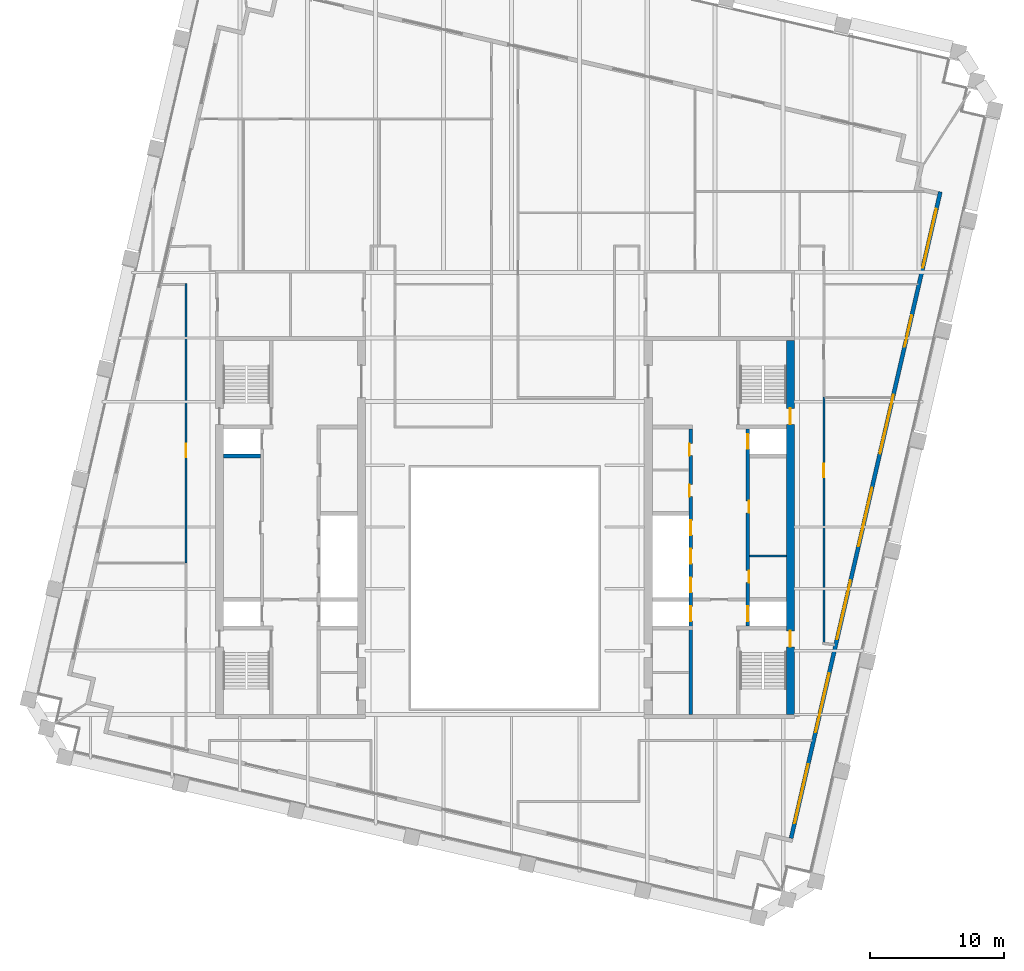
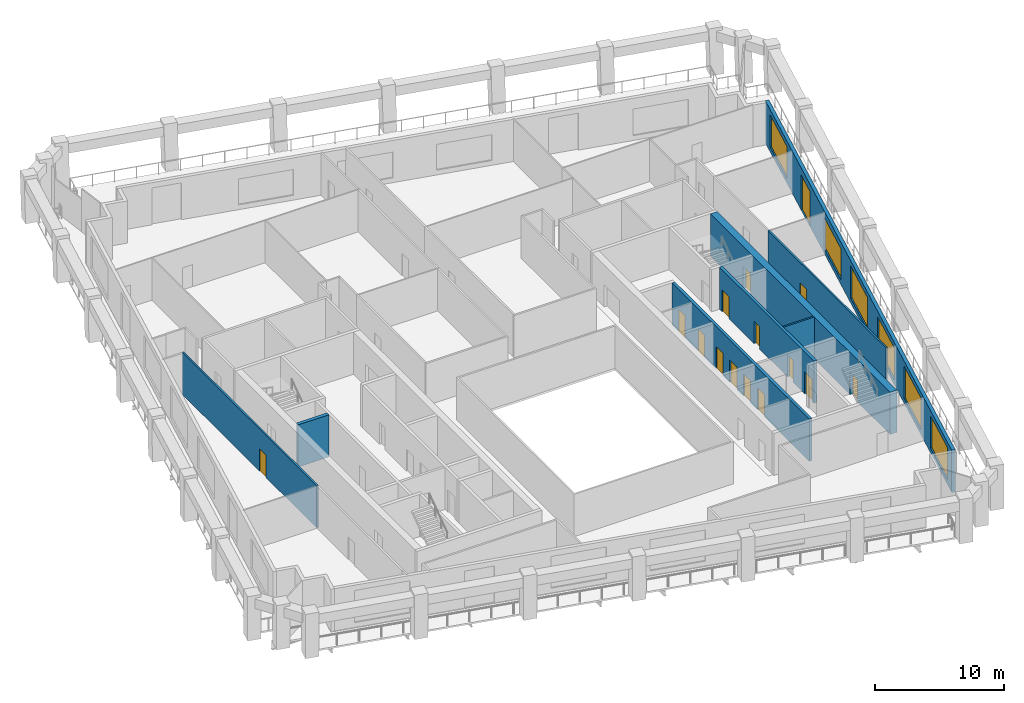
# One storey, part 5 of 9: 15 doors, 8 walls, 6 windows, 21 openings.
"""IFC4 building model written with IfcOpenShell, lengths in metres."""

from ifc_helpers import new_model, si_unit, direction, frame, frame_2d, origin, place, context, subcontext, project, spatial, rectangle, extrude, material, layer, layer_set, type_object, element, fill, save


model = new_model("IFC4")

# Units and contexts
model_context = context("Model", 3, precision=1e-05, world=origin(), true_north=direction((0.0, 1.0)))
body_context = subcontext(model_context, "Body", "Model", "MODEL_VIEW")
ifc_project = project(units=[si_unit("LENGTHUNIT", "METRE"), si_unit("AREAUNIT", "SQUARE_METRE"), si_unit("VOLUMEUNIT", "CUBIC_METRE"), si_unit("PLANEANGLEUNIT", "RADIAN"), si_unit("MASSUNIT", "GRAM", prefix="KILO")], contexts=[model_context])

# Site, building, storey
site_placement = place(None, origin())
site = spatial("IfcSite", under=ifc_project, at=site_placement, CompositionType="ELEMENT")
building_placement = place(site_placement, origin())
building = spatial("IfcBuilding", under=site, at=building_placement, Name="Ogive Exchange Tower", CompositionType="ELEMENT")
storey_placement = place(building_placement, frame((0.0, 0.0, 285.0)))
storey = spatial("IfcBuildingStorey", under=building, at=storey_placement, Name="L62", CompositionType="ELEMENT", Elevation=285.0)

# Wall
ifc_material_1 = material(Name="Gypsum board partition")
ifc_layer_1 = layer(ifc_material_1, 0.14990234375)
ifc_layer_set_1 = layer_set([ifc_layer_1], Name="Core room partition 150 gypsum")
wall_type_1 = type_object("IfcWallType", Name="Core room partition 150 gypsum", PredefinedType="PARTITIONING", material=ifc_layer_set_1)
wall_1_placement = place(storey_placement, frame((18.25, 9.39990234375, 0.0), z_axis=(0.0, 0.0, 1.0), x_axis=(1.0, 0.0, 0.0)))
element("IfcWall", 1, at=wall_1_placement, inside=storey, type_object=wall_type_1, Name="E row A bay partition 1-1", PredefinedType="PARTITIONING", context=body_context, shape_type="SweptSolid", body=[
    extrude(rectangle(XDim=2.75, YDim=0.14990234375, at=frame_2d((1.375, 0.0))), origin(), (0.0, 0.0, 1.0), 4.0),
])

# Wall, opening, door
ifc_material_2 = material(Name="Fire partition EI 60 150")
ifc_layer_2 = layer(ifc_material_2, 0.14990234375)
ifc_layer_set_2 = layer_set([ifc_layer_2], Name="Fire partition EI 60 150")
wall_type_2 = type_object("IfcWallType", Name="Fire partition EI 60 150", PredefinedType="PARTITIONING", material=ifc_layer_set_2)
wall_2_placement = place(storey_placement, frame((-23.800048828125, 8.860107421875, 0.0), z_axis=(0.0, 0.0, 1.0), x_axis=(0.0, 1.0, 0.0)))
wall_2 = element("IfcWall", 2, at=wall_2_placement, inside=storey, type_object=wall_type_2, Name="L62-PWL-004", PredefinedType="PARTITIONING", context=body_context, shape_type="SweptSolid", body=[
    extrude(rectangle(XDim=20.875, YDim=0.14990234375, at=frame_2d((10.4375, 0.0))), origin(), (0.0, 0.0, 1.0), 4.0),
])
opening_1_placement = place(wall_2_placement, frame((7.89990234375, 0.0, 0.0)))
opening_1 = element("IfcOpeningElement", 3, at=opening_1_placement, cuts=wall_2, Name="Opening L62-I14", PredefinedType="OPENING", context=body_context, shape_type="SweptSolid", body=[
    extrude(rectangle(XDim=1.0, YDim=2.10009765625, at=frame_2d((0.5, 1.050048828125))), frame((0.0, 0.0849609375, 0.0), z_axis=(0.0, -1.0, 0.0), x_axis=(1.0, 0.0, 0.0)), (0.0, 0.0, 1.0), 0.169921875),
])
ifc_material_3 = material(Name="Fire door FD 30S 1000 x 2100")
door_type_1 = type_object("IfcDoorType", Name="Fire door FD 30S 1000 x 2100", OperationType="NOTDEFINED", PredefinedType="DOOR", material=ifc_material_3)
door_1_placement = place(opening_1_placement, origin())
door_1 = element("IfcDoor", 4, at=door_1_placement, inside=storey, type_object=door_type_1, Name="L62-IDR-014", ObjectType="DT3", OperationType="SINGLE_SWING_RIGHT", OverallHeight=2.10009765625, OverallWidth=1.0, PredefinedType="DOOR", context=body_context, shape_type="SweptSolid", body=[
    extrude(rectangle(XDim=1.0, YDim=2.10009765625, at=frame_2d((0.5, 1.050048828125))), frame((0.0, 0.02490234375, 0.0), z_axis=(0.0, -1.0, 0.0), x_axis=(1.0, 0.0, 0.0)), (0.0, 0.0, 1.0), 0.050048828125),
])
fill(opening_1, door_1)

wall_3_placement = place(storey_placement, frame((23.800048828125, 21.260009765625, 0.0), z_axis=(0.0, 0.0, 1.0), x_axis=(0.0, -1.0, 0.0)))
wall_3 = element("IfcWall", 5, at=wall_3_placement, inside=storey, type_object=wall_type_2, Name="L62-PWL-047", PredefinedType="PARTITIONING", context=body_context, shape_type="SweptSolid", body=[
    extrude(rectangle(XDim=18.324951171875, YDim=0.14990234375, at=frame_2d((9.16259765625, 0.0))), origin(), (0.0, 0.0, 1.0), 4.0),
])
opening_2_placement = place(wall_3_placement, frame((5.0, 0.0, 0.0)))
opening_2 = element("IfcOpeningElement", 6, at=opening_2_placement, cuts=wall_3, Name="Opening L62-I02", PredefinedType="OPENING", context=body_context, shape_type="SweptSolid", body=[
    extrude(rectangle(XDim=1.0, YDim=2.10009765625, at=frame_2d((0.5, 1.050048828125))), frame((0.0, 0.0849609375, 0.0), z_axis=(0.0, -1.0, 0.0), x_axis=(1.0, 0.0, 0.0)), (0.0, 0.0, 1.0), 0.169921875),
])
door_2_placement = place(opening_2_placement, origin())
door_2 = element("IfcDoor", 7, at=door_2_placement, inside=storey, type_object=door_type_1, Name="L62-IDR-002", ObjectType="DT3", OperationType="SINGLE_SWING_RIGHT", OverallHeight=2.10009765625, OverallWidth=1.0, PredefinedType="DOOR", context=body_context, shape_type="SweptSolid", body=[
    extrude(rectangle(XDim=1.0, YDim=2.10009765625, at=frame_2d((0.5, 1.050048828125))), frame((0.0, 0.02490234375, 0.0), z_axis=(0.0, -1.0, 0.0), x_axis=(1.0, 0.0, 0.0)), (0.0, 0.0, 1.0), 0.050048828125),
])
fill(opening_2, door_2)

# Wall, openings, door, windows
ifc_material_4 = material(Name="Precast concrete C40/50", Category="concrete")
ifc_layer_3 = layer(ifc_material_4, 0.300048828125)
ifc_layer_set_3 = layer_set([ifc_layer_3], Name="Limestone-faced wall 300")
wall_type_3 = type_object("IfcWallType", Name="Limestone-faced wall 300", PredefinedType="STANDARD", material=ifc_layer_set_3)
wall_4_placement = place(storey_placement, frame((21.35888671875, -11.67822265625, 0.0), z_axis=(0.0, 0.0, 1.0), x_axis=(0.224949198343, 0.974370493275, 0.0)))
wall_4 = element("IfcWall", 8, at=wall_4_placement, inside=storey, type_object=wall_type_3, Name="External wall E2", PredefinedType="STANDARD", context=body_context, shape_type="SweptSolid", body=[
    extrude(rectangle(XDim=49.5, YDim=0.300048828125, at=frame_2d((24.75, 0.0))), origin(), (0.0, 0.0, 1.0), 4.0),
])
opening_3_placement = place(wall_4_placement, frame((1.156982421875, 0.0, 0.449951171875)))
opening_3 = element("IfcOpeningElement", 9, at=opening_3_placement, cuts=wall_4, Name="Opening W1", PredefinedType="OPENING", context=body_context, shape_type="SweptSolid", body=[
    extrude(rectangle(XDim=4.5, YDim=3.050048828125, at=frame_2d((2.25, 1.52490234375))), frame((0.0, 0.159912109375, 0.0), z_axis=(0.0, -1.0, 0.0), x_axis=(1.0, 0.0, 0.0)), (0.0, 0.0, 1.0), 0.320068359375),
])
opening_4_placement = place(wall_4_placement, frame((8.121337890625, 0.0, 0.449951171875)))
opening_4 = element("IfcOpeningElement", 10, at=opening_4_placement, cuts=wall_4, Name="Opening W1", PredefinedType="OPENING", context=body_context, shape_type="SweptSolid", body=[
    extrude(rectangle(XDim=4.5, YDim=3.050048828125, at=frame_2d((2.25, 1.52490234375))), frame((0.0, 0.159912109375, 0.0), z_axis=(0.0, -1.0, 0.0), x_axis=(1.0, 0.0, 0.0)), (0.0, 0.0, 1.0), 0.320068359375),
])
opening_5_placement = place(wall_4_placement, frame((15.235595703125, 0.0, 0.449951171875)))
opening_5 = element("IfcOpeningElement", 11, at=opening_5_placement, cuts=wall_4, Name="Opening W1", PredefinedType="OPENING", context=body_context, shape_type="SweptSolid", body=[
    extrude(rectangle(XDim=4.5, YDim=3.050048828125, at=frame_2d((2.25, 1.52490234375))), frame((0.0, 0.159912109375, 0.0), z_axis=(0.0, -1.0, 0.0), x_axis=(1.0, 0.0, 0.0)), (0.0, 0.0, 1.0), 0.320068359375),
])
opening_6_placement = place(wall_4_placement, frame((22.35009765625, 0.0, 0.449951171875)))
opening_6 = element("IfcOpeningElement", 12, at=opening_6_placement, cuts=wall_4, Name="Opening W1", PredefinedType="OPENING", context=body_context, shape_type="SweptSolid", body=[
    extrude(rectangle(XDim=4.5, YDim=3.050048828125, at=frame_2d((2.25, 1.52490234375))), frame((0.0, 0.159912109375, 0.0), z_axis=(0.0, -1.0, 0.0), x_axis=(1.0, 0.0, 0.0)), (0.0, 0.0, 1.0), 0.320068359375),
])
opening_7_placement = place(wall_4_placement, frame((29.464111328125, 0.0, 0.449951171875)))
opening_7 = element("IfcOpeningElement", 13, at=opening_7_placement, cuts=wall_4, Name="Opening W1B", PredefinedType="OPENING", context=body_context, shape_type="SweptSolid", body=[
    extrude(rectangle(XDim=4.5, YDim=2.949951171875, at=frame_2d((2.25, 1.47509765625))), frame((0.0, 0.159912109375, 0.0), z_axis=(0.0, -1.0, 0.0), x_axis=(1.0, 0.0, 0.0)), (0.0, 0.0, 1.0), 0.320068359375),
])
opening_8_placement = place(wall_4_placement, frame((37.62841796875, 0.0, 0.0)))
opening_8 = element("IfcOpeningElement", 14, at=opening_8_placement, cuts=wall_4, Name="Opening D1C", PredefinedType="OPENING", context=body_context, shape_type="SweptSolid", body=[
    extrude(rectangle(XDim=2.39990234375, YDim=3.324951171875, at=frame_2d((1.199951171875, 1.66259765625))), frame((0.0, 0.159912109375, 0.0), z_axis=(0.0, -1.0, 0.0), x_axis=(1.0, 0.0, 0.0)), (0.0, 0.0, 1.0), 0.320068359375),
])
opening_9_placement = place(wall_4_placement, frame((43.69287109375, 0.0, 0.449951171875)))
opening_9 = element("IfcOpeningElement", 15, at=opening_9_placement, cuts=wall_4, Name="Opening W1", PredefinedType="OPENING", context=body_context, shape_type="SweptSolid", body=[
    extrude(rectangle(XDim=4.5, YDim=3.050048828125, at=frame_2d((2.25, 1.52490234375))), frame((0.0, 0.159912109375, 0.0), z_axis=(0.0, -1.0, 0.0), x_axis=(1.0, 0.0, 0.0)), (0.0, 0.0, 1.0), 0.320068359375),
])
ifc_material_5 = material(Name="Clear glass in bronze frame", Category="glass")
door_type_2 = type_object("IfcDoorType", Name="Sliding loggia door 2400 x 3325", OperationType="DOUBLE_DOOR_SLIDING", PredefinedType="DOOR", material=ifc_material_5)
door_3_placement = place(opening_8_placement, origin())
door_3 = element("IfcDoor", 16, at=door_3_placement, inside=storey, type_object=door_type_2, Name="Loggia door E05", OperationType="DOUBLE_DOOR_SLIDING", OverallHeight=3.324951171875, OverallWidth=2.39990234375, PredefinedType="DOOR", context=body_context, shape_type="SweptSolid", body=[
    extrude(rectangle(XDim=2.39990234375, YDim=3.324951171875, at=frame_2d((1.199951171875, 1.66259765625))), frame((0.0, 0.02490234375, 0.0), z_axis=(0.0, -1.0, 0.0), x_axis=(1.0, 0.0, 0.0)), (0.0, 0.0, 1.0), 0.050048828125),
])
fill(opening_8, door_3)
window_type_1 = type_object("IfcWindowType", Name="Twin lancet window 4500 x 2950", PartitioningType="DOUBLE_PANEL_VERTICAL", PredefinedType="WINDOW", material=ifc_material_5)
window_1_placement = place(opening_7_placement, origin())
window_1 = element("IfcWindow", 17, at=window_1_placement, inside=storey, type_object=window_type_1, Name="Window E04", OverallHeight=2.949951171875, OverallWidth=4.5, PartitioningType="DOUBLE_PANEL_VERTICAL", PredefinedType="WINDOW", context=body_context, shape_type="SweptSolid", body=[
    extrude(rectangle(XDim=4.5, YDim=2.949951171875, at=frame_2d((2.25, 1.47509765625))), frame((0.0, 0.030029296875, 0.0), z_axis=(0.0, -1.0, 0.0), x_axis=(1.0, 0.0, 0.0)), (0.0, 0.0, 1.0), 0.06005859375),
])
fill(opening_7, window_1)
window_type_2 = type_object("IfcWindowType", Name="Twin lancet window 4500 x 3050", PartitioningType="DOUBLE_PANEL_VERTICAL", PredefinedType="WINDOW", material=ifc_material_5)
window_2_placement = place(opening_3_placement, origin())
window_2 = element("IfcWindow", 18, at=window_2_placement, inside=storey, type_object=window_type_2, Name="Window E00", OverallHeight=3.050048828125, OverallWidth=4.5, PartitioningType="DOUBLE_PANEL_VERTICAL", PredefinedType="WINDOW", context=body_context, shape_type="SweptSolid", body=[
    extrude(rectangle(XDim=4.5, YDim=3.050048828125, at=frame_2d((2.25, 1.52490234375))), frame((0.0, 0.030029296875, 0.0), z_axis=(0.0, -1.0, 0.0), x_axis=(1.0, 0.0, 0.0)), (0.0, 0.0, 1.0), 0.06005859375),
])
fill(opening_3, window_2)
window_3_placement = place(opening_4_placement, origin())
window_3 = element("IfcWindow", 19, at=window_3_placement, inside=storey, type_object=window_type_2, Name="Window E01", OverallHeight=3.050048828125, OverallWidth=4.5, PartitioningType="DOUBLE_PANEL_VERTICAL", PredefinedType="WINDOW", context=body_context, shape_type="SweptSolid", body=[
    extrude(rectangle(XDim=4.5, YDim=3.050048828125, at=frame_2d((2.25, 1.52490234375))), frame((0.0, 0.030029296875, 0.0), z_axis=(0.0, -1.0, 0.0), x_axis=(1.0, 0.0, 0.0)), (0.0, 0.0, 1.0), 0.06005859375),
])
fill(opening_4, window_3)
window_4_placement = place(opening_5_placement, origin())
window_4 = element("IfcWindow", 20, at=window_4_placement, inside=storey, type_object=window_type_2, Name="Window E02", OverallHeight=3.050048828125, OverallWidth=4.5, PartitioningType="DOUBLE_PANEL_VERTICAL", PredefinedType="WINDOW", context=body_context, shape_type="SweptSolid", body=[
    extrude(rectangle(XDim=4.5, YDim=3.050048828125, at=frame_2d((2.25, 1.52490234375))), frame((0.0, 0.030029296875, 0.0), z_axis=(0.0, -1.0, 0.0), x_axis=(1.0, 0.0, 0.0)), (0.0, 0.0, 1.0), 0.06005859375),
])
fill(opening_5, window_4)
window_5_placement = place(opening_6_placement, origin())
window_5 = element("IfcWindow", 21, at=window_5_placement, inside=storey, type_object=window_type_2, Name="Window E03", OverallHeight=3.050048828125, OverallWidth=4.5, PartitioningType="DOUBLE_PANEL_VERTICAL", PredefinedType="WINDOW", context=body_context, shape_type="SweptSolid", body=[
    extrude(rectangle(XDim=4.5, YDim=3.050048828125, at=frame_2d((2.25, 1.52490234375))), frame((0.0, 0.030029296875, 0.0), z_axis=(0.0, -1.0, 0.0), x_axis=(1.0, 0.0, 0.0)), (0.0, 0.0, 1.0), 0.06005859375),
])
fill(opening_6, window_5)
window_6_placement = place(opening_9_placement, origin())
window_6 = element("IfcWindow", 22, at=window_6_placement, inside=storey, type_object=window_type_2, Name="Window E06", OverallHeight=3.050048828125, OverallWidth=4.5, PartitioningType="DOUBLE_PANEL_VERTICAL", PredefinedType="WINDOW", context=body_context, shape_type="SweptSolid", body=[
    extrude(rectangle(XDim=4.5, YDim=3.050048828125, at=frame_2d((2.25, 1.52490234375))), frame((0.0, 0.030029296875, 0.0), z_axis=(0.0, -1.0, 0.0), x_axis=(1.0, 0.0, 0.0)), (0.0, 0.0, 1.0), 0.06005859375),
])
fill(opening_9, window_6)

# Wall, openings, doors
ifc_material_6 = material(Name="Concrete C70/85", Category="concrete")
ifc_layer_4 = layer(ifc_material_6, 0.25)
ifc_layer_set_4 = layer_set([ifc_layer_4], Name="RC core wall 250 C70/85")
wall_type_4 = type_object("IfcWallType", Name="RC core wall 250 C70/85", PredefinedType="SHEAR", material=ifc_layer_set_4)
wall_5_placement = place(storey_placement, frame((18.125, 4.14990234375, 0.0), z_axis=(0.0, 0.0, 1.0), x_axis=(0.0, 1.0, 0.0)))
wall_5 = element("IfcWall", 23, at=wall_5_placement, inside=storey, type_object=wall_type_4, Name="E row A front wall", PredefinedType="SHEAR", context=body_context, shape_type="SweptSolid", body=[
    extrude(rectangle(XDim=14.7001953125, YDim=0.25, at=frame_2d((7.35009765625, 0.0))), origin(), (0.0, 0.0, 1.0), 4.0),
])
opening_10_placement = place(wall_5_placement, frame((3.246337890625, 0.0, 0.0)))
opening_10 = element("IfcOpeningElement", 24, at=opening_10_placement, cuts=wall_5, Name="Opening L62-C19", PredefinedType="OPENING", context=body_context, shape_type="SweptSolid", body=[
    extrude(rectangle(XDim=0.89990234375, YDim=2.10009765625, at=frame_2d((0.449951171875, 1.050048828125))), frame((0.0, 0.135009765625, 0.0), z_axis=(0.0, -1.0, 0.0), x_axis=(1.0, 0.0, 0.0)), (0.0, 0.0, 1.0), 0.27001953125),
])
opening_11_placement = place(wall_5_placement, frame((8.45361328125, 0.0, 0.0)))
opening_11 = element("IfcOpeningElement", 25, at=opening_11_placement, cuts=wall_5, Name="Opening L62-C20", PredefinedType="OPENING", context=body_context, shape_type="SweptSolid", body=[
    extrude(rectangle(XDim=0.89990234375, YDim=2.10009765625, at=frame_2d((0.449951171875, 1.050048828125))), frame((0.0, 0.135009765625, 0.0), z_axis=(0.0, -1.0, 0.0), x_axis=(1.0, 0.0, 0.0)), (0.0, 0.0, 1.0), 0.27001953125),
])
opening_12_placement = place(wall_5_placement, frame((0.371337890625, 0.0, 0.0)))
opening_12 = element("IfcOpeningElement", 26, at=opening_12_placement, cuts=wall_5, Name="Opening L62-C21", PredefinedType="OPENING", context=body_context, shape_type="SweptSolid", body=[
    extrude(rectangle(XDim=1.10009765625, YDim=2.10009765625, at=frame_2d((0.550048828125, 1.050048828125))), frame((0.0, 0.135009765625, 0.0), z_axis=(0.0, -1.0, 0.0), x_axis=(1.0, 0.0, 0.0)), (0.0, 0.0, 1.0), 0.27001953125),
])
opening_13_placement = place(wall_5_placement, frame((13.228515625, 0.0, 0.0)))
opening_13 = element("IfcOpeningElement", 27, at=opening_13_placement, cuts=wall_5, Name="Opening L62-C22", PredefinedType="OPENING", context=body_context, shape_type="SweptSolid", body=[
    extrude(rectangle(XDim=1.10009765625, YDim=2.10009765625, at=frame_2d((0.550048828125, 1.050048828125))), frame((0.0, 0.135009765625, 0.0), z_axis=(0.0, -1.0, 0.0), x_axis=(1.0, 0.0, 0.0)), (0.0, 0.0, 1.0), 0.27001953125),
])
ifc_material_7 = material(Name="Stainless steel", Category="steel")
door_type_3 = type_object("IfcDoorType", Name="Lift landing door FD90 1100 x 2100", OperationType="SLIDING_TO_LEFT", PredefinedType="DOOR", material=ifc_material_7)
door_4_placement = place(opening_12_placement, origin())
door_4 = element("IfcDoor", 28, at=door_4_placement, inside=storey, type_object=door_type_3, Name="Lift landing door FF2", ObjectType="LD", OperationType="SLIDING_TO_LEFT", OverallHeight=2.10009765625, OverallWidth=1.10009765625, PredefinedType="DOOR", context=body_context, shape_type="SweptSolid", body=[
    extrude(rectangle(XDim=1.10009765625, YDim=2.10009765625, at=frame_2d((0.550048828125, 1.050048828125))), frame((0.0, 0.02490234375, 0.0), z_axis=(0.0, -1.0, 0.0), x_axis=(1.0, 0.0, 0.0)), (0.0, 0.0, 1.0), 0.050048828125),
])
fill(opening_12, door_4)
door_5_placement = place(opening_13_placement, origin())
door_5 = element("IfcDoor", 29, at=door_5_placement, inside=storey, type_object=door_type_3, Name="Lift landing door E-SH2", ObjectType="LD", OperationType="SLIDING_TO_LEFT", OverallHeight=2.10009765625, OverallWidth=1.10009765625, PredefinedType="DOOR", context=body_context, shape_type="SweptSolid", body=[
    extrude(rectangle(XDim=1.10009765625, YDim=2.10009765625, at=frame_2d((0.550048828125, 1.050048828125))), frame((0.0, 0.02490234375, 0.0), z_axis=(0.0, -1.0, 0.0), x_axis=(1.0, 0.0, 0.0)), (0.0, 0.0, 1.0), 0.050048828125),
])
fill(opening_13, door_5)
ifc_material_8 = material(Name="Steel fire door", Category="steel")
door_type_4 = type_object("IfcDoorType", Name="Riser door FD60 900 x 2100", OperationType="NOTDEFINED", PredefinedType="DOOR", material=ifc_material_8)
door_6_placement = place(opening_10_placement, frame((0.89990234375, -0.2001953125, 0.0), z_axis=(0.0, 0.0, 1.0), x_axis=(-1.0, 0.0, 0.0)))
door_6 = element("IfcDoor", 30, at=door_6_placement, inside=storey, type_object=door_type_4, Name="Riser door", ObjectType="CD2", OperationType="SINGLE_SWING_RIGHT", OverallHeight=2.10009765625, OverallWidth=0.89990234375, PredefinedType="DOOR", context=body_context, shape_type="SweptSolid", body=[
    extrude(rectangle(XDim=0.89990234375, YDim=2.10009765625, at=frame_2d((0.449951171875, 1.050048828125))), frame((0.0, -0.0751953125, 0.0), z_axis=(0.0, -1.0, 0.0), x_axis=(1.0, 0.0, 0.0)), (0.0, 0.0, 1.0), 0.050048828125),
])
fill(opening_10, door_6)
door_7_placement = place(opening_11_placement, frame((0.89990234375, -0.2001953125, 0.0), z_axis=(0.0, 0.0, 1.0), x_axis=(-1.0, 0.0, 0.0)))
door_7 = element("IfcDoor", 31, at=door_7_placement, inside=storey, type_object=door_type_4, Name="Riser door", ObjectType="CD2", OperationType="SINGLE_SWING_LEFT", OverallHeight=2.10009765625, OverallWidth=0.89990234375, PredefinedType="DOOR", context=body_context, shape_type="SweptSolid", body=[
    extrude(rectangle(XDim=0.89990234375, YDim=2.10009765625, at=frame_2d((0.449951171875, 1.050048828125))), frame((0.0, -0.0751953125, 0.0), z_axis=(0.0, -1.0, 0.0), x_axis=(1.0, 0.0, 0.0)), (0.0, 0.0, 1.0), 0.050048828125),
])
fill(opening_11, door_7)

wall_6_placement = place(storey_placement, frame((13.875, -2.449951171875, 0.0), z_axis=(0.0, 0.0, 1.0), x_axis=(0.0, 1.0, 0.0)))
wall_6 = element("IfcWall", 32, at=wall_6_placement, inside=storey, type_object=wall_type_4, Name="E row B front wall", PredefinedType="SHEAR", context=body_context, shape_type="SweptSolid", body=[
    extrude(rectangle(XDim=21.300048828125, YDim=0.25, at=frame_2d((10.64990234375, 0.0))), origin(), (0.0, 0.0, 1.0), 4.0),
])
opening_14_placement = place(wall_6_placement, frame((16.2607421875, 0.0, 0.0)))
opening_14 = element("IfcOpeningElement", 33, at=opening_14_placement, cuts=wall_6, Name="Opening L62-C23", PredefinedType="OPENING", context=body_context, shape_type="SweptSolid", body=[
    extrude(rectangle(XDim=0.89990234375, YDim=2.10009765625, at=frame_2d((0.449951171875, 1.050048828125))), frame((0.0, 0.135009765625, 0.0), z_axis=(0.0, -1.0, 0.0), x_axis=(1.0, 0.0, 0.0)), (0.0, 0.0, 1.0), 0.27001953125),
])
opening_15_placement = place(wall_6_placement, frame((19.324951171875, 0.0, 0.0)))
opening_15 = element("IfcOpeningElement", 34, at=opening_15_placement, cuts=wall_6, Name="Opening L62-C24", PredefinedType="OPENING", context=body_context, shape_type="SweptSolid", body=[
    extrude(rectangle(XDim=0.89990234375, YDim=2.10009765625, at=frame_2d((0.449951171875, 1.050048828125))), frame((0.0, 0.135009765625, 0.0), z_axis=(0.0, -1.0, 0.0), x_axis=(1.0, 0.0, 0.0)), (0.0, 0.0, 1.0), 0.27001953125),
])
opening_16_placement = place(wall_6_placement, frame((6.971435546875, 0.0, 0.0)))
opening_16 = element("IfcOpeningElement", 35, at=opening_16_placement, cuts=wall_6, Name="Opening L62-C25", PredefinedType="OPENING", context=body_context, shape_type="SweptSolid", body=[
    extrude(rectangle(XDim=1.10009765625, YDim=2.10009765625, at=frame_2d((0.550048828125, 1.050048828125))), frame((0.0, 0.135009765625, 0.0), z_axis=(0.0, -1.0, 0.0), x_axis=(1.0, 0.0, 0.0)), (0.0, 0.0, 1.0), 0.27001953125),
])
opening_17_placement = place(wall_6_placement, frame((9.1142578125, 0.0, 0.0)))
opening_17 = element("IfcOpeningElement", 36, at=opening_17_placement, cuts=wall_6, Name="Opening L62-C26", PredefinedType="OPENING", context=body_context, shape_type="SweptSolid", body=[
    extrude(rectangle(XDim=1.10009765625, YDim=2.10009765625, at=frame_2d((0.550048828125, 1.050048828125))), frame((0.0, 0.135009765625, 0.0), z_axis=(0.0, -1.0, 0.0), x_axis=(1.0, 0.0, 0.0)), (0.0, 0.0, 1.0), 0.27001953125),
])
opening_18_placement = place(wall_6_placement, frame((11.257080078125, 0.0, 0.0)))
opening_18 = element("IfcOpeningElement", 37, at=opening_18_placement, cuts=wall_6, Name="Opening L62-C27", PredefinedType="OPENING", context=body_context, shape_type="SweptSolid", body=[
    extrude(rectangle(XDim=1.10009765625, YDim=2.10009765625, at=frame_2d((0.550048828125, 1.050048828125))), frame((0.0, 0.135009765625, 0.0), z_axis=(0.0, -1.0, 0.0), x_axis=(1.0, 0.0, 0.0)), (0.0, 0.0, 1.0), 0.27001953125),
])
opening_19_placement = place(wall_6_placement, frame((13.39990234375, 0.0, 0.0)))
opening_19 = element("IfcOpeningElement", 38, at=opening_19_placement, cuts=wall_6, Name="Opening L62-C28", PredefinedType="OPENING", context=body_context, shape_type="SweptSolid", body=[
    extrude(rectangle(XDim=1.10009765625, YDim=2.10009765625, at=frame_2d((0.550048828125, 1.050048828125))), frame((0.0, 0.135009765625, 0.0), z_axis=(0.0, -1.0, 0.0), x_axis=(1.0, 0.0, 0.0)), (0.0, 0.0, 1.0), 0.27001953125),
])
door_8_placement = place(opening_16_placement, origin())
door_8 = element("IfcDoor", 39, at=door_8_placement, inside=storey, type_object=door_type_3, Name="Lift landing door SV2", ObjectType="LD", OperationType="SLIDING_TO_LEFT", OverallHeight=2.10009765625, OverallWidth=1.10009765625, PredefinedType="DOOR", context=body_context, shape_type="SweptSolid", body=[
    extrude(rectangle(XDim=1.10009765625, YDim=2.10009765625, at=frame_2d((0.550048828125, 1.050048828125))), frame((0.0, 0.02490234375, 0.0), z_axis=(0.0, -1.0, 0.0), x_axis=(1.0, 0.0, 0.0)), (0.0, 0.0, 1.0), 0.050048828125),
])
fill(opening_16, door_8)
door_9_placement = place(opening_17_placement, origin())
door_9 = element("IfcDoor", 40, at=door_9_placement, inside=storey, type_object=door_type_3, Name="Lift landing door E-M1", ObjectType="LD", OperationType="SLIDING_TO_LEFT", OverallHeight=2.10009765625, OverallWidth=1.10009765625, PredefinedType="DOOR", context=body_context, shape_type="SweptSolid", body=[
    extrude(rectangle(XDim=1.10009765625, YDim=2.10009765625, at=frame_2d((0.550048828125, 1.050048828125))), frame((0.0, 0.02490234375, 0.0), z_axis=(0.0, -1.0, 0.0), x_axis=(1.0, 0.0, 0.0)), (0.0, 0.0, 1.0), 0.050048828125),
])
fill(opening_17, door_9)
door_10_placement = place(opening_18_placement, origin())
door_10 = element("IfcDoor", 41, at=door_10_placement, inside=storey, type_object=door_type_3, Name="Lift landing door E-M2", ObjectType="LD", OperationType="SLIDING_TO_LEFT", OverallHeight=2.10009765625, OverallWidth=1.10009765625, PredefinedType="DOOR", context=body_context, shape_type="SweptSolid", body=[
    extrude(rectangle(XDim=1.10009765625, YDim=2.10009765625, at=frame_2d((0.550048828125, 1.050048828125))), frame((0.0, 0.02490234375, 0.0), z_axis=(0.0, -1.0, 0.0), x_axis=(1.0, 0.0, 0.0)), (0.0, 0.0, 1.0), 0.050048828125),
])
fill(opening_18, door_10)
door_11_placement = place(opening_19_placement, origin())
door_11 = element("IfcDoor", 42, at=door_11_placement, inside=storey, type_object=door_type_3, Name="Lift landing door E-M3", ObjectType="LD", OperationType="SLIDING_TO_LEFT", OverallHeight=2.10009765625, OverallWidth=1.10009765625, PredefinedType="DOOR", context=body_context, shape_type="SweptSolid", body=[
    extrude(rectangle(XDim=1.10009765625, YDim=2.10009765625, at=frame_2d((0.550048828125, 1.050048828125))), frame((0.0, 0.02490234375, 0.0), z_axis=(0.0, -1.0, 0.0), x_axis=(1.0, 0.0, 0.0)), (0.0, 0.0, 1.0), 0.050048828125),
])
fill(opening_19, door_11)
door_12_placement = place(opening_14_placement, origin())
door_12 = element("IfcDoor", 43, at=door_12_placement, inside=storey, type_object=door_type_4, Name="Riser door", ObjectType="CD2", OperationType="SINGLE_SWING_RIGHT", OverallHeight=2.10009765625, OverallWidth=0.89990234375, PredefinedType="DOOR", context=body_context, shape_type="SweptSolid", body=[
    extrude(rectangle(XDim=0.89990234375, YDim=2.10009765625, at=frame_2d((0.449951171875, 1.050048828125))), frame((0.0, 0.125, 0.0), z_axis=(0.0, -1.0, 0.0), x_axis=(1.0, 0.0, 0.0)), (0.0, 0.0, 1.0), 0.050048828125),
])
fill(opening_14, door_12)
door_13_placement = place(opening_15_placement, origin())
door_13 = element("IfcDoor", 44, at=door_13_placement, inside=storey, type_object=door_type_4, Name="Riser door", ObjectType="CD2", OperationType="SINGLE_SWING_LEFT", OverallHeight=2.10009765625, OverallWidth=0.89990234375, PredefinedType="DOOR", context=body_context, shape_type="SweptSolid", body=[
    extrude(rectangle(XDim=0.89990234375, YDim=2.10009765625, at=frame_2d((0.449951171875, 1.050048828125))), frame((0.0, 0.125, 0.0), z_axis=(0.0, -1.0, 0.0), x_axis=(1.0, 0.0, 0.0)), (0.0, 0.0, 1.0), 0.050048828125),
])
fill(opening_15, door_13)

# Wall
ifc_layer_5 = layer(ifc_material_6, 0.300048828125)
ifc_layer_set_5 = layer_set([ifc_layer_5], Name="RC core wall 300 C70/85")
wall_type_5 = type_object("IfcWallType", Name="RC core wall 300 C70/85", PredefinedType="SHEAR", material=ifc_layer_set_5)
wall_7_placement = place(storey_placement, frame((-21.0, 16.857177734375, 0.0), z_axis=(0.0, 0.0, 1.0), x_axis=(1.0, 0.0, 0.0)))
element("IfcWall", 45, at=wall_7_placement, inside=storey, type_object=wall_type_5, Name="W row A divider 6", PredefinedType="SHEAR", context=body_context, shape_type="SweptSolid", body=[
    extrude(rectangle(XDim=2.75, YDim=0.300048828125, at=frame_2d((1.375, 0.0))), origin(), (0.0, 0.0, 1.0), 4.0),
])

# Wall, openings, doors
ifc_layer_6 = layer(ifc_material_6, 0.60009765625)
ifc_layer_set_6 = layer_set([ifc_layer_6], Name="RC core wall 600 C70/85")
wall_type_6 = type_object("IfcWallType", Name="RC core wall 600 C70/85", PredefinedType="SHEAR", material=ifc_layer_set_6)
wall_8_placement = place(storey_placement, frame((21.300048828125, -2.449951171875, 0.0), z_axis=(0.0, 0.0, 1.0), x_axis=(0.0, 1.0, 0.0)))
wall_8 = element("IfcWall", 46, at=wall_8_placement, inside=storey, type_object=wall_type_6, Name="E outer wall", PredefinedType="SHEAR", context=body_context, shape_type="SweptSolid", body=[
    extrude(rectangle(XDim=27.89990234375, YDim=0.60009765625, at=frame_2d((13.949951171875, 0.0))), origin(), (0.0, 0.0, 1.0), 4.0),
])
opening_20_placement = place(wall_8_placement, frame((5.050048828125, 0.0, 0.0)))
opening_20 = element("IfcOpeningElement", 47, at=opening_20_placement, cuts=wall_8, Name="Opening L62-C32", PredefinedType="OPENING", context=body_context, shape_type="SweptSolid", body=[
    extrude(rectangle(XDim=1.199951171875, YDim=2.10009765625, at=frame_2d((0.60009765625, 1.050048828125))), frame((0.0, 0.31005859375, 0.0), z_axis=(0.0, -1.0, 0.0), x_axis=(1.0, 0.0, 0.0)), (0.0, 0.0, 1.0), 0.6201171875),
])
opening_21_placement = place(wall_8_placement, frame((21.64990234375, 0.0, 0.0)))
opening_21 = element("IfcOpeningElement", 48, at=opening_21_placement, cuts=wall_8, Name="Opening L62-C34", PredefinedType="OPENING", context=body_context, shape_type="SweptSolid", body=[
    extrude(rectangle(XDim=1.199951171875, YDim=2.10009765625, at=frame_2d((0.60009765625, 1.050048828125))), frame((0.0, 0.31005859375, 0.0), z_axis=(0.0, -1.0, 0.0), x_axis=(1.0, 0.0, 0.0)), (0.0, 0.0, 1.0), 0.6201171875),
])
door_type_5 = type_object("IfcDoorType", Name="Stair door FD90 1200 x 2100", OperationType="NOTDEFINED", PredefinedType="DOOR", material=ifc_material_8)
door_14_placement = place(opening_20_placement, frame((1.199951171875, 0.0, 0.0), z_axis=(0.0, 0.0, 1.0), x_axis=(-1.0, 0.0, 0.0)))
door_14 = element("IfcDoor", 49, at=door_14_placement, inside=storey, type_object=door_type_5, Name="Stair door", ObjectType="CD5", OperationType="SINGLE_SWING_RIGHT", OverallHeight=2.10009765625, OverallWidth=1.199951171875, PredefinedType="DOOR", context=body_context, shape_type="SweptSolid", body=[
    extrude(rectangle(XDim=1.199951171875, YDim=2.10009765625, at=frame_2d((0.60009765625, 1.050048828125))), frame((0.0, 0.02490234375, 0.0), z_axis=(0.0, -1.0, 0.0), x_axis=(1.0, 0.0, 0.0)), (0.0, 0.0, 1.0), 0.050048828125),
])
fill(opening_20, door_14)
door_15_placement = place(opening_21_placement, frame((1.199951171875, 0.0, 0.0), z_axis=(0.0, 0.0, 1.0), x_axis=(-1.0, 0.0, 0.0)))
door_15 = element("IfcDoor", 50, at=door_15_placement, inside=storey, type_object=door_type_5, Name="Stair door", ObjectType="CD5", OperationType="SINGLE_SWING_LEFT", OverallHeight=2.10009765625, OverallWidth=1.199951171875, PredefinedType="DOOR", context=body_context, shape_type="SweptSolid", body=[
    extrude(rectangle(XDim=1.199951171875, YDim=2.10009765625, at=frame_2d((0.60009765625, 1.050048828125))), frame((0.0, 0.02490234375, 0.0), z_axis=(0.0, -1.0, 0.0), x_axis=(1.0, 0.0, 0.0)), (0.0, 0.0, 1.0), 0.050048828125),
])
fill(opening_21, door_15)

save(model, "model.ifc")
